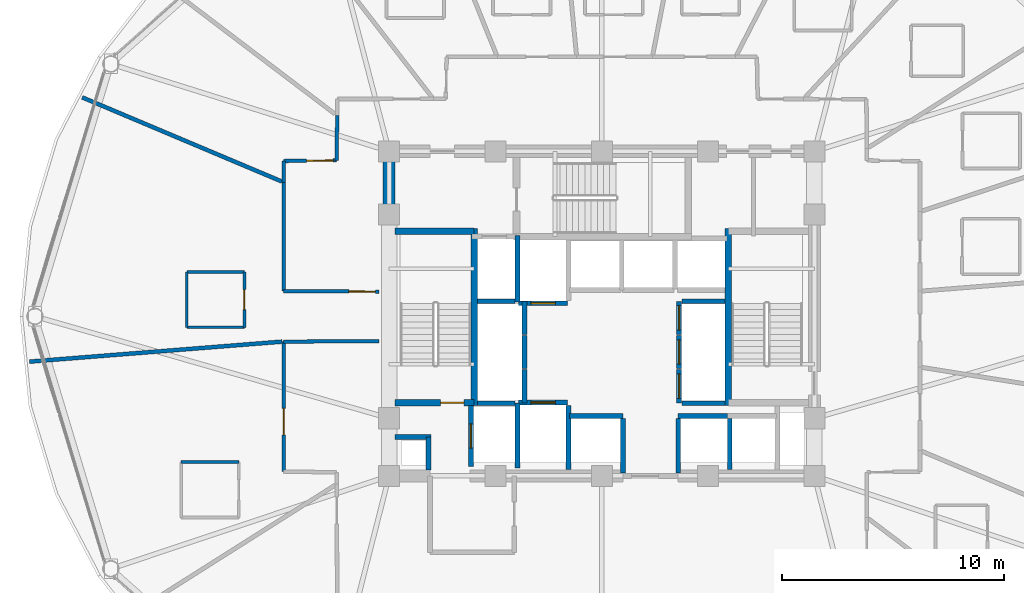
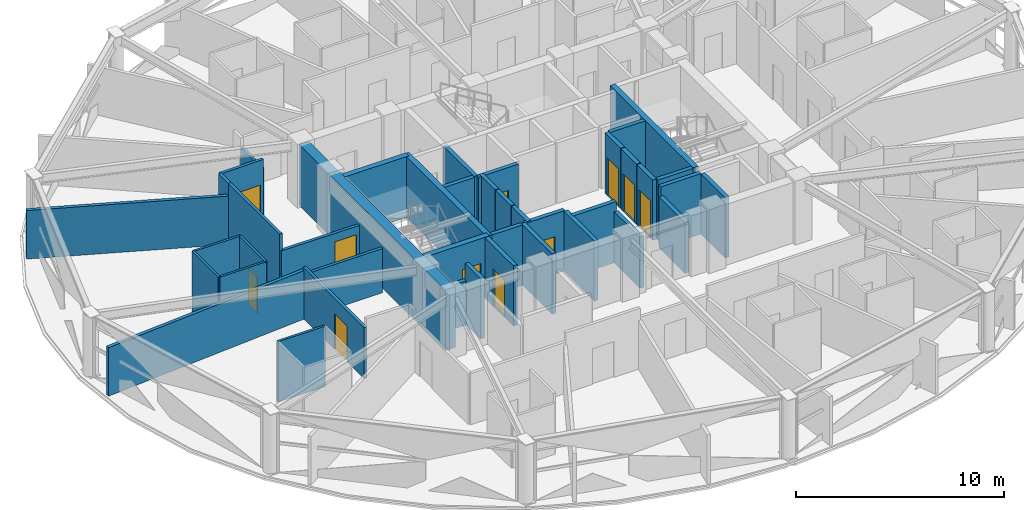
# One storey, part 25 of 32: 42 walls, 11 doors, 11 openings.
"""IFC4 building model written with IfcOpenShell, lengths in metres."""

from ifc_helpers import new_model, si_unit, direction, frame, frame_2d, origin, place, context, subcontext, project, spatial, rectangle, extrude, material, layer, layer_set, type_object, element, fill, save


model = new_model("IFC4")

# Units and contexts
model_context = context("Model", 3, precision=1e-05, world=origin(), true_north=direction((0.0, 1.0)))
body_context = subcontext(model_context, "Body", "Model", "MODEL_VIEW")
ifc_project = project(units=[si_unit("LENGTHUNIT", "METRE"), si_unit("AREAUNIT", "SQUARE_METRE"), si_unit("VOLUMEUNIT", "CUBIC_METRE"), si_unit("PLANEANGLEUNIT", "RADIAN"), si_unit("MASSUNIT", "GRAM", prefix="KILO")], contexts=[model_context])

# Site, building, storey
site_placement = place(None, origin())
site = spatial("IfcSite", under=ifc_project, at=site_placement, CompositionType="ELEMENT")
building_placement = place(site_placement, origin())
building = spatial("IfcBuilding", under=site, at=building_placement, Name="Vantalir Tower", CompositionType="ELEMENT")
storey_placement = place(building_placement, frame((0.0, 0.0, 100.949951171875)))
storey = spatial("IfcBuildingStorey", under=building, at=storey_placement, Name="L24", CompositionType="ELEMENT", Elevation=100.949951171875)

# Walls
ifc_material_1 = material(Name="Moisture-resistant en-suite partition", Category="gypsum")
ifc_layer_1 = layer(ifc_material_1, 0.125)
ifc_layer_set_1 = layer_set([ifc_layer_1], Name="Moisture-resistant en-suite partition")
wall_type_1 = type_object("IfcWallType", Name="WL-BATH-125", PredefinedType="PARTITIONING", material=ifc_layer_set_1)
for number, where, z_axis, x_axis, name in (
    (1, (12.76611328125, 24.507080078125, 0.0), (0.0, 0.0, 1.0), (1.0, 0.0, 0.0), "L24 En-suite 11 South Wall"),
    (2, (12.76611328125, 27.007080078125, 0.0), (0.0, 0.0, 1.0), (1.0, 0.0, 0.0), "L24 En-suite 11 North Wall"),
):
    element("IfcWall", number, at=place(storey_placement, frame(where, z_axis=z_axis, x_axis=x_axis)), inside=storey, type_object=wall_type_1, Name=name, PredefinedType="PARTITIONING", context=body_context, shape_type="SweptSolid", body=[
        extrude(rectangle(XDim=2.599853515625, YDim=0.125, at=frame_2d((1.2998046875, 0.0))), origin(), (0.0, 0.0, 1.0), 3.550048828125),
    ])
wall_1_placement = place(storey_placement, frame((12.76611328125, 24.507080078125, 0.0), z_axis=(0.0, 0.0, 1.0), x_axis=(0.0, 1.0, 0.0)))
element("IfcWall", 3, at=wall_1_placement, inside=storey, type_object=wall_type_1, Name="L24 En-suite 11 West Wall", PredefinedType="PARTITIONING", context=body_context, shape_type="SweptSolid", body=[
    extrude(rectangle(XDim=2.5, YDim=0.125, at=frame_2d((1.25, 0.0))), origin(), (0.0, 0.0, 1.0), 3.550048828125),
])

# Wall, opening, door
wall_2_placement = place(storey_placement, frame((15.365966796875, 24.507080078125, 0.0), z_axis=(0.0, 0.0, 1.0), x_axis=(0.0, 1.0, 0.0)))
wall_2 = element("IfcWall", 4, at=wall_2_placement, inside=storey, type_object=wall_type_1, Name="L24 En-suite 11 East Wall", PredefinedType="PARTITIONING", context=body_context, shape_type="SweptSolid", body=[
    extrude(rectangle(XDim=2.5, YDim=0.125, at=frame_2d((1.25, 0.0))), origin(), (0.0, 0.0, 1.0), 3.550048828125),
])
opening_1_placement = place(wall_2_placement, frame((0.800048828125, 0.0, 0.0)))
opening_1 = element("IfcOpeningElement", 5, at=opening_1_placement, cuts=wall_2, Name="Opening D-WC", PredefinedType="OPENING", context=body_context, shape_type="SweptSolid", body=[
    extrude(rectangle(XDim=0.89990234375, YDim=2.10009765625, at=frame_2d((0.449951171875, 1.050048828125))), frame((0.0, 0.072509765625, 0.0), z_axis=(0.0, -1.0, 0.0), x_axis=(1.0, 0.0, 0.0)), (0.0, 0.0, 1.0), 0.14501953125),
])
ifc_material_2 = material(Name="Moisture-resistant hardwood door", Category="wood")
door_type_1 = type_object("IfcDoorType", Name="DR-ENSUITE-900", OperationType="NOTDEFINED", PredefinedType="DOOR", material=ifc_material_2)
door_1_placement = place(opening_1_placement, origin())
door_1 = element("IfcDoor", 6, at=door_1_placement, inside=storey, type_object=door_type_1, Name="L24 En-suite 11 Door", OperationType="SINGLE_SWING_RIGHT", OverallHeight=2.10009765625, OverallWidth=0.89990234375, PredefinedType="DOOR", context=body_context, shape_type="SweptSolid", body=[
    extrude(rectangle(XDim=0.89990234375, YDim=2.10009765625, at=frame_2d((0.449951171875, 1.050048828125))), frame((0.0, 0.02490234375, 0.0), z_axis=(0.0, -1.0, 0.0), x_axis=(1.0, 0.0, 0.0)), (0.0, 0.0, 1.0), 0.050048828125),
])
fill(opening_1, door_1)

# Walls
wall_3_placement = place(storey_placement, frame((12.513916015625, 18.4208984375, 0.0), z_axis=(0.0, 0.0, 1.0), x_axis=(1.0, 0.0, 0.0)))
element("IfcWall", 7, at=wall_3_placement, inside=storey, type_object=wall_type_1, Name="L24 En-suite 12 North Wall", PredefinedType="PARTITIONING", context=body_context, shape_type="SweptSolid", body=[
    extrude(rectangle(XDim=2.60009765625, YDim=0.125, at=frame_2d((1.300048828125, 0.0))), origin(), (0.0, 0.0, 1.0), 3.550048828125),
])
ifc_material_3 = material(Name="Concrete C60/75", Category="concrete")
ifc_layer_2 = layer(ifc_material_3, 0.550048828125)
ifc_layer_set_2 = layer_set([ifc_layer_2], Name="Concrete C60/75")
wall_type_2 = type_object("IfcWallType", Name="WL-CORE-550", PredefinedType="SHEAR", material=ifc_layer_set_2)
wall_4_placement = place(storey_placement, frame((21.89990234375, 18.074951171875, 0.0), z_axis=(0.0, 0.0, 1.0), x_axis=(0.0, 1.0, 0.0)))
element("IfcWall", 8, at=wall_4_placement, inside=storey, type_object=wall_type_2, Name="L24 Core Shear Wall West", PredefinedType="SHEAR", context=body_context, shape_type="SweptSolid", body=[
    extrude(rectangle(XDim=14.10009765625, YDim=0.550048828125, at=frame_2d((7.050048828125, 0.0))), origin(), (0.0, 0.0, 1.0), 3.570068359375),
])

# Wall, opening, door
ifc_material_4 = material(Name="Fire-rated hotel corridor acoustic partition", Category="gypsum")
ifc_layer_3 = layer(ifc_material_4, 0.159912109375)
ifc_layer_set_3 = layer_set([ifc_layer_3], Name="Fire-rated hotel corridor acoustic partition")
wall_type_3 = type_object("IfcWallType", Name="WL-CORR-160", PredefinedType="PARTITIONING", material=ifc_layer_set_3)
wall_5_placement = place(storey_placement, frame((21.445068359375, 26.115966796875, 0.0), z_axis=(0.0, 0.0, 1.0), x_axis=(-0.999981624627, 0.006062211549, 0.0)))
wall_5 = element("IfcWall", 9, at=wall_5_placement, inside=storey, type_object=wall_type_3, Name="L24 Corridor Partition 01", PredefinedType="PARTITIONING", context=body_context, shape_type="SweptSolid", body=[
    extrude(rectangle(XDim=4.30908203125, YDim=0.159912109375, at=frame_2d((2.154541015625, 0.0))), origin(), (0.0, 0.0, 1.0), 2.594970703125),
])
opening_2_placement = place(wall_5_placement, frame((0.159912109375, 0.0, 0.0)))
opening_2 = element("IfcOpeningElement", 10, at=opening_2_placement, cuts=wall_5, Name="Opening D-STE", PredefinedType="OPENING", context=body_context, shape_type="SweptSolid", body=[
    extrude(rectangle(XDim=1.199951171875, YDim=2.10009765625, at=frame_2d((0.60009765625, 1.050048828125))), frame((0.0, 0.08984375, 0.0), z_axis=(0.0, -1.0, 0.0), x_axis=(1.0, 0.0, 0.0)), (0.0, 0.0, 1.0), 0.179931640625),
])
ifc_material_5 = material(Name="Solid-core teak veneer suite entrance door", Category="wood")
door_type_2 = type_object("IfcDoorType", Name="DR-SUITE-ENTRY-1200", OperationType="NOTDEFINED", PredefinedType="DOOR", material=ifc_material_5)
door_2_placement = place(opening_2_placement, origin())
door_2 = element("IfcDoor", 11, at=door_2_placement, inside=storey, type_object=door_type_2, Name="L24 Executive Club Hotel Suite 11 Door", OperationType="SINGLE_SWING_RIGHT", OverallHeight=2.10009765625, OverallWidth=1.199951171875, PredefinedType="DOOR", context=body_context, shape_type="SweptSolid", body=[
    extrude(rectangle(XDim=1.199951171875, YDim=2.10009765625, at=frame_2d((0.60009765625, 1.050048828125))), frame((0.0, 0.02490234375, 0.0), z_axis=(0.0, -1.0, 0.0), x_axis=(1.0, 0.0, 0.0)), (0.0, 0.0, 1.0), 0.050048828125),
])
fill(opening_2, door_2)

# Walls
wall_6_placement = place(storey_placement, frame((17.135986328125, 26.14208984375, 0.0), z_axis=(0.0, 0.0, 1.0), x_axis=(0.000198817035, 0.999999980236, 0.0)))
element("IfcWall", 12, at=wall_6_placement, inside=storey, type_object=wall_type_3, Name="L24 Corridor Partition 02", PredefinedType="PARTITIONING", context=body_context, shape_type="SweptSolid", body=[
    extrude(rectangle(XDim=4.911865234375, YDim=0.159912109375, at=frame_2d((2.4560546875, 0.0))), origin(), (0.0, 0.0, 1.0), 3.550048828125),
])
wall_7_placement = place(storey_placement, frame((17.136962890625, 31.053955078125, 0.0), z_axis=(0.0, 0.0, 1.0), x_axis=(0.0, 1.0, 0.0)))
element("IfcWall", 13, at=wall_7_placement, inside=storey, type_object=wall_type_3, Name="L24 Corridor Partition 03", PredefinedType="PARTITIONING", context=body_context, shape_type="SweptSolid", body=[
    extrude(rectangle(XDim=0.9580078125, YDim=0.159912109375, at=frame_2d((0.47900390625, 0.0))), origin(), (0.0, 0.0, 1.0), 3.550048828125),
])

# Wall, opening, door
wall_8_placement = place(storey_placement, frame((17.136962890625, 32.011962890625, 0.0), z_axis=(0.0, 0.0, 1.0), x_axis=(0.999931463618, 0.01170760724, 0.0)))
wall_8 = element("IfcWall", 14, at=wall_8_placement, inside=storey, type_object=wall_type_3, Name="L24 Corridor Partition 04", PredefinedType="PARTITIONING", context=body_context, shape_type="SweptSolid", body=[
    extrude(rectangle(XDim=2.398193359375, YDim=0.159912109375, at=frame_2d((1.19921875, 0.0))), origin(), (0.0, 0.0, 1.0), 3.550048828125),
])
opening_3_placement = place(wall_8_placement, frame((1.0380859375, 0.0, 0.0)))
opening_3 = element("IfcOpeningElement", 15, at=opening_3_placement, cuts=wall_8, Name="Opening D-STE", PredefinedType="OPENING", context=body_context, shape_type="SweptSolid", body=[
    extrude(rectangle(XDim=1.199951171875, YDim=2.10009765625, at=frame_2d((0.60009765625, 1.050048828125))), frame((0.0, 0.08984375, 0.0), z_axis=(0.0, -1.0, 0.0), x_axis=(1.0, 0.0, 0.0)), (0.0, 0.0, 1.0), 0.179931640625),
])
door_3_placement = place(opening_3_placement, origin())
door_3 = element("IfcDoor", 16, at=door_3_placement, inside=storey, type_object=door_type_2, Name="L24 Executive Sky Boardroom 10 Door", OperationType="SINGLE_SWING_LEFT", OverallHeight=2.10009765625, OverallWidth=1.199951171875, PredefinedType="DOOR", context=body_context, shape_type="SweptSolid", body=[
    extrude(rectangle(XDim=1.199951171875, YDim=2.10009765625, at=frame_2d((0.60009765625, 1.050048828125))), frame((0.0, 0.02490234375, 0.0), z_axis=(0.0, -1.0, 0.0), x_axis=(1.0, 0.0, 0.0)), (0.0, 0.0, 1.0), 0.050048828125),
])
fill(opening_3, door_3)

# Wall
wall_9_placement = place(storey_placement, frame((19.534912109375, 32.0400390625, 0.0), z_axis=(0.0, 0.0, 1.0), x_axis=(0.008934683203, 0.999960084921, 0.0)))
element("IfcWall", 17, at=wall_9_placement, inside=storey, type_object=wall_type_3, Name="L24 Corridor Partition 05", PredefinedType="PARTITIONING", context=body_context, shape_type="SweptSolid", body=[
    extrude(rectangle(XDim=2.02197265625, YDim=0.159912109375, at=frame_2d((1.010986328125, 0.0))), origin(), (0.0, 0.0, 1.0), 3.006103515625),
])

# Wall, opening, door
wall_10_placement = place(storey_placement, frame((17.135986328125, 17.991943359375, 0.0), z_axis=(0.0, 0.0, 1.0), x_axis=(0.0, 1.0, 0.0)))
wall_10 = element("IfcWall", 18, at=wall_10_placement, inside=storey, type_object=wall_type_3, Name="L24 Corridor Partition 38", PredefinedType="PARTITIONING", context=body_context, shape_type="SweptSolid", body=[
    extrude(rectangle(XDim=5.865966796875, YDim=0.159912109375, at=frame_2d((2.93310546875, 0.0))), origin(), (0.0, 0.0, 1.0), 3.006103515625),
])
opening_4_placement = place(wall_10_placement, frame((1.658935546875, 0.0, 0.0)))
opening_4 = element("IfcOpeningElement", 19, at=opening_4_placement, cuts=wall_10, Name="Opening D-STE", PredefinedType="OPENING", context=body_context, shape_type="SweptSolid", body=[
    extrude(rectangle(XDim=1.199951171875, YDim=2.10009765625, at=frame_2d((0.60009765625, 1.050048828125))), frame((0.0, 0.08984375, 0.0), z_axis=(0.0, -1.0, 0.0), x_axis=(1.0, 0.0, 0.0)), (0.0, 0.0, 1.0), 0.179931640625),
])
door_4_placement = place(opening_4_placement, origin())
door_4 = element("IfcDoor", 20, at=door_4_placement, inside=storey, type_object=door_type_2, Name="L24 Corner Panorama Hotel Suite 12 Door", OperationType="SINGLE_SWING_LEFT", OverallHeight=2.10009765625, OverallWidth=1.199951171875, PredefinedType="DOOR", context=body_context, shape_type="SweptSolid", body=[
    extrude(rectangle(XDim=1.199951171875, YDim=2.10009765625, at=frame_2d((0.60009765625, 1.050048828125))), frame((0.0, 0.02490234375, 0.0), z_axis=(0.0, -1.0, 0.0), x_axis=(1.0, 0.0, 0.0)), (0.0, 0.0, 1.0), 0.050048828125),
])
fill(opening_4, door_4)

# Walls
wall_11_placement = place(storey_placement, frame((17.135986328125, 23.85791015625, 0.0), z_axis=(0.0, 0.0, 1.0), x_axis=(0.999981624627, 0.006062211549, 0.0)))
element("IfcWall", 21, at=wall_11_placement, inside=storey, type_object=wall_type_3, Name="L24 Corridor Partition 39", PredefinedType="PARTITIONING", context=body_context, shape_type="SweptSolid", body=[
    extrude(rectangle(XDim=4.30908203125, YDim=0.159912109375, at=frame_2d((2.154541015625, 0.0))), origin(), (0.0, 0.0, 1.0), 2.594970703125),
])
ifc_material_6 = material(Name="Concrete blockwork with fireboard lining", Category="masonry")
ifc_layer_4 = layer(ifc_material_6, 0.219970703125)
ifc_layer_set_4 = layer_set([ifc_layer_4], Name="Concrete blockwork with fireboard lining")
wall_type_4 = type_object("IfcWallType", Name="WL-FFL-220", PredefinedType="PARTITIONING", material=ifc_layer_set_4)
wall_12_placement = place(storey_placement, frame((30.0, 18.080078125, 0.0), z_axis=(0.0, 0.0, 1.0), x_axis=(0.0, 1.0, 0.0)))
element("IfcWall", 22, at=wall_12_placement, inside=storey, type_object=wall_type_4, Name="L24 Service Lift SV1 East Shaft Wall", PredefinedType="PARTITIONING", context=body_context, shape_type="SweptSolid", body=[
    extrude(rectangle(XDim=2.89990234375, YDim=0.219970703125, at=frame_2d((1.449951171875, 0.0))), origin(), (0.0, 0.0, 1.0), 3.545166015625),
])
for number, where, z_axis, x_axis, name in (
    (23, (32.449951171875, 17.919921875, 0.0), (0.0, 0.0, 1.0), (0.0, 1.0, 0.0), "L24 Shuttle Lift PL-X1 East Shaft Cheek"),
    (24, (34.949951171875, 17.919921875, 0.0), (0.0, 0.0, 1.0), (0.0, 1.0, 0.0), "L24 Shuttle Lift PL-X3 West Shaft Cheek"),
):
    element("IfcWall", number, at=place(storey_placement, frame(where, z_axis=z_axis, x_axis=x_axis)), inside=storey, type_object=wall_type_4, Name=name, PredefinedType="PARTITIONING", context=body_context, shape_type="SweptSolid", body=[
        extrude(rectangle(XDim=2.469970703125, YDim=0.219970703125, at=frame_2d((1.23486328125, 0.0))), origin(), (0.0, 0.0, 1.0), 3.006103515625),
    ])
wall_13_placement = place(storey_placement, frame((37.27490234375, 18.080078125, 0.0), z_axis=(0.0, 0.0, 1.0), x_axis=(0.0, 1.0, 0.0)))
element("IfcWall", 25, at=wall_13_placement, inside=storey, type_object=wall_type_4, Name="L24 Shuttle Lift PL-X2/X3 Shaft Divider", PredefinedType="PARTITIONING", context=body_context, shape_type="SweptSolid", body=[
    extrude(rectangle(XDim=2.309814453125, YDim=0.219970703125, at=frame_2d((1.15478515625, 0.0))), origin(), (0.0, 0.0, 1.0), 3.545166015625),
])
wall_14_placement = place(storey_placement, frame((23.679931640625, 18.074951171875, 0.0), z_axis=(0.0, 0.0, 1.0), x_axis=(0.0, 1.0, 0.0)))
element("IfcWall", 26, at=wall_14_placement, inside=storey, type_object=wall_type_4, Name="L24 West MEP Riser Wall E", PredefinedType="PARTITIONING", context=body_context, shape_type="SweptSolid", body=[
    extrude(rectangle(XDim=1.47509765625, YDim=0.219970703125, at=frame_2d((0.737548828125, 0.0))), origin(), (0.0, 0.0, 1.0), 3.550048828125),
])
wall_15_placement = place(storey_placement, frame((22.175048828125, 19.550048828125, 0.0), z_axis=(0.0, 0.0, 1.0), x_axis=(1.0, 0.0, 0.0)))
element("IfcWall", 27, at=wall_15_placement, inside=storey, type_object=wall_type_4, Name="L24 West MEP Riser Wall N", PredefinedType="PARTITIONING", context=body_context, shape_type="SweptSolid", body=[
    extrude(rectangle(XDim=1.614990234375, YDim=0.219970703125, at=frame_2d((0.8076171875, 0.0))), origin(), (0.0, 0.0, 1.0), 2.594970703125),
])

# Wall, opening, door
wall_16_placement = place(storey_placement, frame((25.590087890625, 18.219970703125, 0.0), z_axis=(0.0, 0.0, 1.0), x_axis=(0.0, 1.0, 0.0)))
wall_16 = element("IfcWall", 28, at=wall_16_placement, inside=storey, type_object=wall_type_4, Name="L24 Lift FL1 Shaft Front Wall", PredefinedType="PARTITIONING", context=body_context, shape_type="SweptSolid", body=[
    extrude(rectangle(XDim=2.760009765625, YDim=0.219970703125, at=frame_2d((1.3798828125, 0.0))), origin(), (0.0, 0.0, 1.0), 3.550048828125),
])
opening_5_placement = place(wall_16_placement, frame((0.830078125, 0.0, 0.0)))
opening_5 = element("IfcOpeningElement", 29, at=opening_5_placement, cuts=wall_16, Name="Opening LD-FL1", PredefinedType="OPENING", context=body_context, shape_type="SweptSolid", body=[
    extrude(rectangle(XDim=1.10009765625, YDim=2.199951171875, at=frame_2d((0.550048828125, 1.10009765625))), frame((0.0, 0.119873046875, 0.0), z_axis=(0.0, -1.0, 0.0), x_axis=(1.0, 0.0, 0.0)), (0.0, 0.0, 1.0), 0.239990234375),
])
ifc_material_7 = material(Name="Brushed stainless-steel sliding lift landing door", Category="steel")
door_type_3 = type_object("IfcDoorType", Name="DR-LIFT-LANDING-1100", OperationType="DOUBLE_DOOR_SLIDING", PredefinedType="DOOR", material=ifc_material_7)
door_5_placement = place(opening_5_placement, origin())
door_5 = element("IfcDoor", 30, at=door_5_placement, inside=storey, type_object=door_type_3, Name="L24 Lift Landing Door FL1", OperationType="DOUBLE_DOOR_SLIDING", OverallHeight=2.199951171875, OverallWidth=1.10009765625, PredefinedType="DOOR", context=body_context, shape_type="SweptSolid", body=[
    extrude(rectangle(XDim=1.10009765625, YDim=2.199951171875, at=frame_2d((0.550048828125, 1.10009765625))), frame((0.0, 0.02490234375, 0.0), z_axis=(0.0, -1.0, 0.0), x_axis=(1.0, 0.0, 0.0)), (0.0, 0.0, 1.0), 0.050048828125),
])
fill(opening_5, door_5)

wall_17_placement = place(storey_placement, frame((27.739990234375, 21.110107421875, 0.0), z_axis=(0.0, 0.0, 1.0), x_axis=(1.0, 0.0, 0.0)))
wall_17 = element("IfcWall", 31, at=wall_17_placement, inside=storey, type_object=wall_type_4, Name="L24 Lift SV1 Shaft Front Wall", PredefinedType="PARTITIONING", context=body_context, shape_type="SweptSolid", body=[
    extrude(rectangle(XDim=2.219970703125, YDim=0.219970703125, at=frame_2d((1.10986328125, 0.0))), origin(), (0.0, 0.0, 1.0), 3.550048828125),
])
opening_6_placement = place(wall_17_placement, frame((0.56005859375, 0.0, 0.0)))
opening_6 = element("IfcOpeningElement", 32, at=opening_6_placement, cuts=wall_17, Name="Opening LD-SV1", PredefinedType="OPENING", context=body_context, shape_type="SweptSolid", body=[
    extrude(rectangle(XDim=1.10009765625, YDim=2.199951171875, at=frame_2d((0.550048828125, 1.10009765625))), frame((0.0, 0.119873046875, 0.0), z_axis=(0.0, -1.0, 0.0), x_axis=(1.0, 0.0, 0.0)), (0.0, 0.0, 1.0), 0.239990234375),
])
door_6_placement = place(opening_6_placement, origin())
door_6 = element("IfcDoor", 33, at=door_6_placement, inside=storey, type_object=door_type_3, Name="L24 Lift Landing Door SV1", OperationType="DOUBLE_DOOR_SLIDING", OverallHeight=2.199951171875, OverallWidth=1.10009765625, PredefinedType="DOOR", context=body_context, shape_type="SweptSolid", body=[
    extrude(rectangle(XDim=1.10009765625, YDim=2.199951171875, at=frame_2d((0.550048828125, 1.10009765625))), frame((0.0, 0.02490234375, 0.0), z_axis=(0.0, -1.0, 0.0), x_axis=(1.0, 0.0, 0.0)), (0.0, 0.0, 1.0), 0.050048828125),
])
fill(opening_6, door_6)

wall_18_placement = place(storey_placement, frame((27.739990234375, 25.590087890625, 0.0), z_axis=(0.0, 0.0, 1.0), x_axis=(1.0, 0.0, 0.0)))
wall_18 = element("IfcWall", 34, at=wall_18_placement, inside=storey, type_object=wall_type_4, Name="L24 Lift SV2 Shaft Front Wall", PredefinedType="PARTITIONING", context=body_context, shape_type="SweptSolid", body=[
    extrude(rectangle(XDim=2.219970703125, YDim=0.219970703125, at=frame_2d((1.10986328125, 0.0))), origin(), (0.0, 0.0, 1.0), 3.550048828125),
])
opening_7_placement = place(wall_18_placement, frame((0.56005859375, 0.0, 0.0)))
opening_7 = element("IfcOpeningElement", 35, at=opening_7_placement, cuts=wall_18, Name="Opening LD-SV2", PredefinedType="OPENING", context=body_context, shape_type="SweptSolid", body=[
    extrude(rectangle(XDim=1.10009765625, YDim=2.199951171875, at=frame_2d((0.550048828125, 1.10009765625))), frame((0.0, 0.119873046875, 0.0), z_axis=(0.0, -1.0, 0.0), x_axis=(1.0, 0.0, 0.0)), (0.0, 0.0, 1.0), 0.239990234375),
])
door_7_placement = place(opening_7_placement, frame((1.10009765625, 0.0, 0.0), z_axis=(0.0, 0.0, 1.0), x_axis=(-1.0, 0.0, 0.0)))
door_7 = element("IfcDoor", 36, at=door_7_placement, inside=storey, type_object=door_type_3, Name="L24 Lift Landing Door SV2", OperationType="DOUBLE_DOOR_SLIDING", OverallHeight=2.199951171875, OverallWidth=1.10009765625, PredefinedType="DOOR", context=body_context, shape_type="SweptSolid", body=[
    extrude(rectangle(XDim=1.10009765625, YDim=2.199951171875, at=frame_2d((0.550048828125, 1.10009765625))), frame((0.0, 0.02490234375, 0.0), z_axis=(0.0, -1.0, 0.0), x_axis=(1.0, 0.0, 0.0)), (0.0, 0.0, 1.0), 0.050048828125),
])
fill(opening_7, door_7)

# Walls
wall_19_placement = place(storey_placement, frame((30.0400390625, 20.510009765625, 0.0), z_axis=(0.0, 0.0, 1.0), x_axis=(1.0, 0.0, 0.0)))
element("IfcWall", 37, at=wall_19_placement, inside=storey, type_object=wall_type_4, Name="L24 Lift PL-X1 Shaft Front Wall", PredefinedType="PARTITIONING", context=body_context, shape_type="SweptSolid", body=[
    extrude(rectangle(XDim=2.419921875, YDim=0.219970703125, at=frame_2d((1.2099609375, 0.0))), origin(), (0.0, 0.0, 1.0), 3.550048828125),
])
wall_20_placement = place(storey_placement, frame((34.93994140625, 20.510009765625, 0.0), z_axis=(0.0, 0.0, 1.0), x_axis=(1.0, 0.0, 0.0)))
element("IfcWall", 38, at=wall_20_placement, inside=storey, type_object=wall_type_4, Name="L24 Lift PL-X3 Shaft Front Wall", PredefinedType="PARTITIONING", context=body_context, shape_type="SweptSolid", body=[
    extrude(rectangle(XDim=2.239990234375, YDim=0.219970703125, at=frame_2d((1.1201171875, 0.0))), origin(), (0.0, 0.0, 1.0), 3.550048828125),
])
for number, where, z_axis, x_axis, name in (
    (39, (28.010009765625, 21.10009765625, 0.0), (0.0, 0.0, 1.0), (0.0, 1.0, 0.0), "L24 Lift PL-L1 Shaft Front Wall"),
    (40, (28.010009765625, 22.639892578125, 0.0), (0.0, 0.0, 1.0), (0.0, 1.0, 0.0), "L24 Lift PL-L2 Shaft Front Wall"),
    (41, (28.010009765625, 24.179931640625, 0.0), (0.0, 0.0, 1.0), (0.0, 1.0, 0.0), "L24 Lift PL-L3 Shaft Front Wall"),
):
    element("IfcWall", number, at=place(storey_placement, frame(where, z_axis=z_axis, x_axis=x_axis)), inside=storey, type_object=wall_type_4, Name=name, PredefinedType="PARTITIONING", context=body_context, shape_type="SweptSolid", body=[
        extrude(rectangle(XDim=1.5, YDim=0.219970703125, at=frame_2d((0.75, 0.0))), origin(), (0.0, 0.0, 1.0), 3.550048828125),
    ])

# Wall, opening, door
wall_21_placement = place(storey_placement, frame((34.989990234375, 21.10009765625, 0.0), z_axis=(0.0, 0.0, 1.0), x_axis=(0.0, 1.0, 0.0)))
wall_21 = element("IfcWall", 42, at=wall_21_placement, inside=storey, type_object=wall_type_4, Name="L24 Lift PL-M1 Shaft Front Wall", PredefinedType="PARTITIONING", context=body_context, shape_type="SweptSolid", body=[
    extrude(rectangle(XDim=1.5, YDim=0.219970703125, at=frame_2d((0.75, 0.0))), origin(), (0.0, 0.0, 1.0), 3.550048828125),
])
opening_8_placement = place(wall_21_placement, frame((0.199951171875, 0.0, 0.0)))
opening_8 = element("IfcOpeningElement", 43, at=opening_8_placement, cuts=wall_21, Name="Opening LD-PL-M1", PredefinedType="OPENING", context=body_context, shape_type="SweptSolid", body=[
    extrude(rectangle(XDim=1.10009765625, YDim=2.199951171875, at=frame_2d((0.550048828125, 1.10009765625))), frame((0.0, 0.119873046875, 0.0), z_axis=(0.0, -1.0, 0.0), x_axis=(1.0, 0.0, 0.0)), (0.0, 0.0, 1.0), 0.239990234375),
])
door_8_placement = place(opening_8_placement, origin())
door_8 = element("IfcDoor", 44, at=door_8_placement, inside=storey, type_object=door_type_3, Name="L24 Lift Landing Door PL-M1", OperationType="DOUBLE_DOOR_SLIDING", OverallHeight=2.199951171875, OverallWidth=1.10009765625, PredefinedType="DOOR", context=body_context, shape_type="SweptSolid", body=[
    extrude(rectangle(XDim=1.10009765625, YDim=2.199951171875, at=frame_2d((0.550048828125, 1.10009765625))), frame((0.0, 0.02490234375, 0.0), z_axis=(0.0, -1.0, 0.0), x_axis=(1.0, 0.0, 0.0)), (0.0, 0.0, 1.0), 0.050048828125),
])
fill(opening_8, door_8)

wall_22_placement = place(storey_placement, frame((34.989990234375, 22.639892578125, 0.0), z_axis=(0.0, 0.0, 1.0), x_axis=(0.0, 1.0, 0.0)))
wall_22 = element("IfcWall", 45, at=wall_22_placement, inside=storey, type_object=wall_type_4, Name="L24 Lift PL-M2 Shaft Front Wall", PredefinedType="PARTITIONING", context=body_context, shape_type="SweptSolid", body=[
    extrude(rectangle(XDim=1.5, YDim=0.219970703125, at=frame_2d((0.75, 0.0))), origin(), (0.0, 0.0, 1.0), 3.550048828125),
])
opening_9_placement = place(wall_22_placement, frame((0.199951171875, 0.0, 0.0)))
opening_9 = element("IfcOpeningElement", 46, at=opening_9_placement, cuts=wall_22, Name="Opening LD-PL-M2", PredefinedType="OPENING", context=body_context, shape_type="SweptSolid", body=[
    extrude(rectangle(XDim=1.10009765625, YDim=2.199951171875, at=frame_2d((0.550048828125, 1.10009765625))), frame((0.0, 0.119873046875, 0.0), z_axis=(0.0, -1.0, 0.0), x_axis=(1.0, 0.0, 0.0)), (0.0, 0.0, 1.0), 0.239990234375),
])
door_9_placement = place(opening_9_placement, origin())
door_9 = element("IfcDoor", 47, at=door_9_placement, inside=storey, type_object=door_type_3, Name="L24 Lift Landing Door PL-M2", OperationType="DOUBLE_DOOR_SLIDING", OverallHeight=2.199951171875, OverallWidth=1.10009765625, PredefinedType="DOOR", context=body_context, shape_type="SweptSolid", body=[
    extrude(rectangle(XDim=1.10009765625, YDim=2.199951171875, at=frame_2d((0.550048828125, 1.10009765625))), frame((0.0, 0.02490234375, 0.0), z_axis=(0.0, -1.0, 0.0), x_axis=(1.0, 0.0, 0.0)), (0.0, 0.0, 1.0), 0.050048828125),
])
fill(opening_9, door_9)

wall_23_placement = place(storey_placement, frame((34.989990234375, 24.179931640625, 0.0), z_axis=(0.0, 0.0, 1.0), x_axis=(0.0, 1.0, 0.0)))
wall_23 = element("IfcWall", 48, at=wall_23_placement, inside=storey, type_object=wall_type_4, Name="L24 Lift PL-M3 Shaft Front Wall", PredefinedType="PARTITIONING", context=body_context, shape_type="SweptSolid", body=[
    extrude(rectangle(XDim=1.5, YDim=0.219970703125, at=frame_2d((0.75, 0.0))), origin(), (0.0, 0.0, 1.0), 3.550048828125),
])
opening_10_placement = place(wall_23_placement, frame((0.199951171875, 0.0, 0.0)))
opening_10 = element("IfcOpeningElement", 49, at=opening_10_placement, cuts=wall_23, Name="Opening LD-PL-M3", PredefinedType="OPENING", context=body_context, shape_type="SweptSolid", body=[
    extrude(rectangle(XDim=1.10009765625, YDim=2.199951171875, at=frame_2d((0.550048828125, 1.10009765625))), frame((0.0, 0.119873046875, 0.0), z_axis=(0.0, -1.0, 0.0), x_axis=(1.0, 0.0, 0.0)), (0.0, 0.0, 1.0), 0.239990234375),
])
door_10_placement = place(opening_10_placement, origin())
door_10 = element("IfcDoor", 50, at=door_10_placement, inside=storey, type_object=door_type_3, Name="L24 Lift Landing Door PL-M3", OperationType="DOUBLE_DOOR_SLIDING", OverallHeight=2.199951171875, OverallWidth=1.10009765625, PredefinedType="DOOR", context=body_context, shape_type="SweptSolid", body=[
    extrude(rectangle(XDim=1.10009765625, YDim=2.199951171875, at=frame_2d((0.550048828125, 1.10009765625))), frame((0.0, 0.02490234375, 0.0), z_axis=(0.0, -1.0, 0.0), x_axis=(1.0, 0.0, 0.0)), (0.0, 0.0, 1.0), 0.050048828125),
])
fill(opening_10, door_10)

# Walls
wall_24_placement = place(storey_placement, frame((27.699951171875, 18.14990234375, 0.0), z_axis=(0.0, 0.0, 1.0), x_axis=(0.0, 1.0, 0.0)))
element("IfcWall", 51, at=wall_24_placement, inside=storey, type_object=wall_type_4, Name="L24 Fire Lift FL1 Dividing Wall", PredefinedType="PARTITIONING", context=body_context, shape_type="SweptSolid", body=[
    extrude(rectangle(XDim=2.9501953125, YDim=0.219970703125, at=frame_2d((1.47509765625, 0.0))), origin(), (0.0, 0.0, 1.0), 3.550048828125),
])
wall_25_placement = place(storey_placement, frame((27.699951171875, 25.64990234375, 0.0), z_axis=(0.0, 0.0, 1.0), x_axis=(0.0, 1.0, 0.0)))
element("IfcWall", 52, at=wall_25_placement, inside=storey, type_object=wall_type_4, Name="L24 Fire Lift FL2 Dividing Wall", PredefinedType="PARTITIONING", context=body_context, shape_type="SweptSolid", body=[
    extrude(rectangle(XDim=3.0, YDim=0.219970703125, at=frame_2d((1.5, 0.0))), origin(), (0.0, 0.0, 1.0), 3.550048828125),
])
for number, where, z_axis, x_axis, name in (
    (53, (25.8798828125, 21.080078125, 0.0), (0.0, 0.0, 1.0), (1.0, 0.0, 0.0), "L24 Low-Rise Bank South Wall"),
    (54, (25.8798828125, 25.679931640625, 0.0), (0.0, 0.0, 1.0), (1.0, 0.0, 0.0), "L24 Low-Rise Bank North Wall"),
):
    element("IfcWall", number, at=place(storey_placement, frame(where, z_axis=z_axis, x_axis=x_axis)), inside=storey, type_object=wall_type_4, Name=name, PredefinedType="PARTITIONING", context=body_context, shape_type="SweptSolid", body=[
        extrude(rectangle(XDim=1.7001953125, YDim=0.219970703125, at=frame_2d((0.85009765625, 0.0))), origin(), (0.0, 0.0, 1.0), 3.550048828125),
    ])
for number, where, z_axis, x_axis, name in (
    (55, (35.1201171875, 21.080078125, 0.0), (0.0, 0.0, 1.0), (1.0, 0.0, 0.0), "L24 Mid-Rise Bank South Wall"),
    (56, (35.1201171875, 25.679931640625, 0.0), (0.0, 0.0, 1.0), (1.0, 0.0, 0.0), "L24 Mid-Rise Bank North Wall"),
):
    element("IfcWall", number, at=place(storey_placement, frame(where, z_axis=z_axis, x_axis=x_axis)), inside=storey, type_object=wall_type_4, Name=name, PredefinedType="PARTITIONING", context=body_context, shape_type="SweptSolid", body=[
        extrude(rectangle(XDim=1.93994140625, YDim=0.219970703125, at=frame_2d((0.969970703125, 0.0))), origin(), (0.0, 0.0, 1.0), 3.550048828125),
    ])
ifc_material_8 = material(Name="Twin-stud acoustic fire-rated gypsum partition", Category="gypsum")
ifc_layer_5 = layer(ifc_material_8, 0.179931640625)
ifc_layer_set_5 = layer_set([ifc_layer_5], Name="Twin-stud acoustic fire-rated gypsum partition")
wall_type_5 = type_object("IfcWallType", Name="WL-GUEST-180", PredefinedType="PARTITIONING", material=ifc_layer_set_5)
wall_26_placement = place(storey_placement, frame((17.06005859375, 31.0859375, 0.0), z_axis=(0.0, 0.0, 1.0), x_axis=(-0.921481698678, 0.388421779773, 0.0)))
element("IfcWall", 57, at=wall_26_placement, inside=storey, type_object=wall_type_5, Name="L24 Radial Suite Partition 11", PredefinedType="PARTITIONING", context=body_context, shape_type="SweptSolid", body=[
    extrude(rectangle(XDim=9.783203125, YDim=0.179931640625, at=frame_2d((4.8916015625, 0.0))), origin(), (0.0, 0.0, 1.0), 2.85107421875),
])
wall_27_placement = place(storey_placement, frame((17.06005859375, 23.85791015625, 0.0), z_axis=(0.0, 0.0, 1.0), x_axis=(-0.996883758337, -0.078884550861, 0.0)))
element("IfcWall", 58, at=wall_27_placement, inside=storey, type_object=wall_type_5, Name="L24 Radial Suite Partition 12", PredefinedType="PARTITIONING", context=body_context, shape_type="SweptSolid", body=[
    extrude(rectangle(XDim=11.4326171875, YDim=0.179931640625, at=frame_2d((5.71630859375, 0.0))), origin(), (0.0, 0.0, 1.0), 2.85107421875),
])

# Wall, opening, door
ifc_material_9 = material(Name="Concrete C50/60", Category="concrete")
ifc_layer_6 = layer(ifc_material_9, 0.300048828125)
ifc_layer_set_6 = layer_set([ifc_layer_6], Name="Concrete C50/60")
wall_type_6 = type_object("IfcWallType", Name="WL-STAIR-300", PredefinedType="SHEAR", material=ifc_layer_set_6)
wall_28_placement = place(storey_placement, frame((22.175048828125, 21.10009765625, 0.0), z_axis=(0.0, 0.0, 1.0), x_axis=(1.0, 0.0, 0.0)))
wall_28 = element("IfcWall", 59, at=wall_28_placement, inside=storey, type_object=wall_type_6, Name="L24 Stair ST1 South Wall", PredefinedType="SHEAR", context=body_context, shape_type="SweptSolid", body=[
    extrude(rectangle(XDim=3.56494140625, YDim=0.300048828125, at=frame_2d((1.782470703125, 0.0))), origin(), (0.0, 0.0, 1.0), 3.570068359375),
])
opening_11_placement = place(wall_28_placement, frame((2.044921875, 0.0, 0.0)))
opening_11 = element("IfcOpeningElement", 60, at=opening_11_placement, cuts=wall_28, Name="Opening D-ST", PredefinedType="OPENING", context=body_context, shape_type="SweptSolid", body=[
    extrude(rectangle(XDim=1.050048828125, YDim=2.10009765625, at=frame_2d((0.52490234375, 1.050048828125))), frame((0.0, 0.159912109375, 0.0), z_axis=(0.0, -1.0, 0.0), x_axis=(1.0, 0.0, 0.0)), (0.0, 0.0, 1.0), 0.320068359375),
])
ifc_material_10 = material(Name="Fire-rated steel door leaf", Category="steel")
door_type_4 = type_object("IfcDoorType", Name="DR-FIRE-STAIR-1050", OperationType="NOTDEFINED", PredefinedType="DOOR", material=ifc_material_10)
door_11_placement = place(opening_11_placement, origin())
door_11 = element("IfcDoor", 61, at=door_11_placement, inside=storey, type_object=door_type_4, Name="L24 Exit Stair ST1 Fire Door", OperationType="SINGLE_SWING_LEFT", OverallHeight=2.10009765625, OverallWidth=1.050048828125, PredefinedType="DOOR", context=body_context, shape_type="SweptSolid", body=[
    extrude(rectangle(XDim=1.050048828125, YDim=2.10009765625, at=frame_2d((0.52490234375, 1.050048828125))), frame((0.0, 0.02490234375, 0.0), z_axis=(0.0, -1.0, 0.0), x_axis=(1.0, 0.0, 0.0)), (0.0, 0.0, 1.0), 0.050048828125),
])
fill(opening_11, door_11)

# Walls
wall_29_placement = place(storey_placement, frame((22.175048828125, 28.85009765625, 0.0), z_axis=(0.0, 0.0, 1.0), x_axis=(1.0, 0.0, 0.0)))
element("IfcWall", 62, at=wall_29_placement, inside=storey, type_object=wall_type_6, Name="L24 Stair ST1 North Wall", PredefinedType="SHEAR", context=body_context, shape_type="SweptSolid", body=[
    extrude(rectangle(XDim=3.56494140625, YDim=0.300048828125, at=frame_2d((1.782470703125, 0.0))), origin(), (0.0, 0.0, 1.0), 3.570068359375),
])
for number, where, z_axis, x_axis, name in (
    (63, (25.739990234375, 20.97998046875, 0.0), (0.0, 0.0, 1.0), (0.0, 1.0, 0.0), "L24 Stair ST1 East Wall"),
    (64, (37.2099609375, 20.97998046875, 0.0), (0.0, 0.0, 1.0), (0.0, 1.0, 0.0), "L24 Stair ST2 West Wall"),
):
    element("IfcWall", number, at=place(storey_placement, frame(where, z_axis=z_axis, x_axis=x_axis)), inside=storey, type_object=wall_type_6, Name=name, PredefinedType="SHEAR", context=body_context, shape_type="SweptSolid", body=[
        extrude(rectangle(XDim=7.989990234375, YDim=0.300048828125, at=frame_2d((3.9951171875, 0.0))), origin(), (0.0, 0.0, 1.0), 3.570068359375),
    ])

save(model, "model.ifc")
